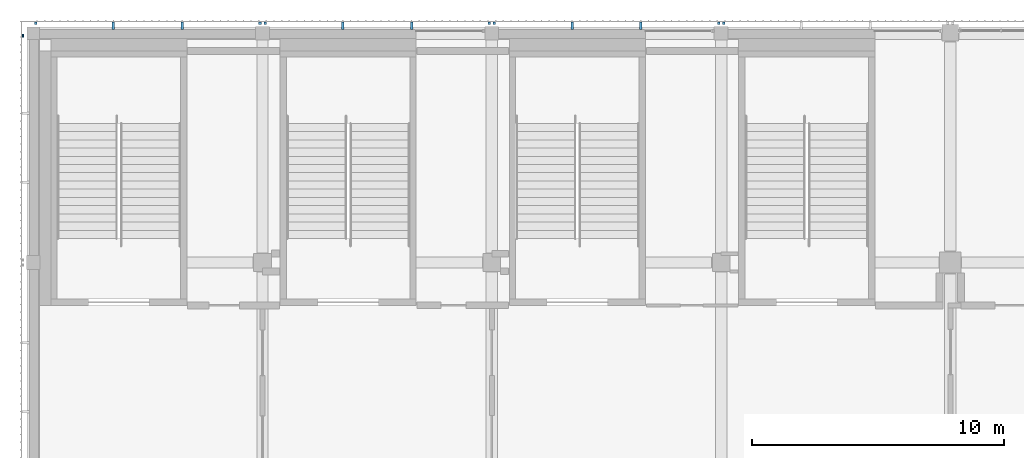
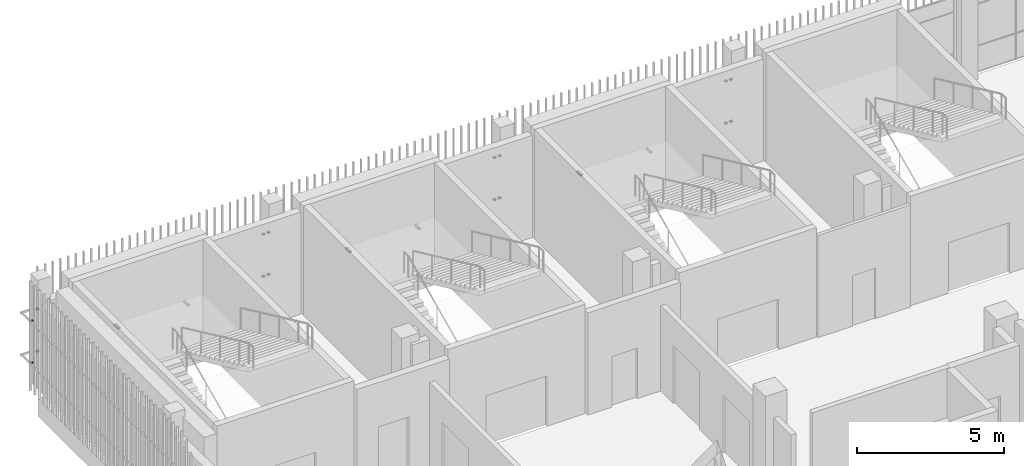
# One storey, part 100 of 126: 22 discrete accessories.
"""IFC4 building model written with IfcOpenShell, lengths in metres."""

from ifc_helpers import new_model, si_unit, direction, frame, origin, origin_2d, place, context, subcontext, project, spatial, rectangle, extrude, material, type_object, element, save


model = new_model("IFC4")

# Units and contexts
model_context = context("Model", 3, precision=1e-05, world=origin(), true_north=direction((0.0, 1.0)))
body_context = subcontext(model_context, "Body", "Model", "MODEL_VIEW")
ifc_project = project(units=[si_unit("LENGTHUNIT", "METRE"), si_unit("AREAUNIT", "SQUARE_METRE"), si_unit("VOLUMEUNIT", "CUBIC_METRE"), si_unit("PLANEANGLEUNIT", "RADIAN"), si_unit("MASSUNIT", "GRAM", prefix="KILO")], contexts=[model_context])

# Site, building, storey
site_placement = place(None, origin())
site = spatial("IfcSite", under=ifc_project, at=site_placement, CompositionType="ELEMENT")
building_placement = place(site_placement, origin())
building = spatial("IfcBuilding", under=site, at=building_placement, Name="Shirokan Park Arena", CompositionType="ELEMENT")
storey_placement = place(building_placement, frame((0.0, 0.0, 6.3701171875)))
storey = spatial("IfcBuildingStorey", under=building, at=storey_placement, Name="L01", CompositionType="ELEMENT", Elevation=6.3701171875)

# Discrete accessories
ifc_material = material(Name="Steel S355", Category="steel")
discrete_accessory_type = type_object("IfcDiscreteAccessoryType", Name="Veil bracket 100x60", PredefinedType="BRACKET", material=ifc_material)
for number, where, z_axis, x_axis, name in (
    (1, (27.39990234375, 109.597412109375, 1.06982421875), (0.0, 0.0, 1.0), (-1.0, 0.0, 0.0), "Veil bracket north bay 13 L01 2"),
    (2, (27.39990234375, 109.597412109375, 2.81982421875), (0.0, 0.0, 1.0), (-1.0, 0.0, 0.0), "Veil bracket north bay 13 L01 4"),
    (3, (27.199951171875, 109.597412109375, 1.06982421875), (0.0, 0.0, 1.0), (-1.0, 0.0, 0.0), "Veil bracket north bay 14 L01 1"),
    (4, (18.300048828125, 109.597412109375, 1.06982421875), (0.0, 0.0, 1.0), (-1.0, 0.0, 0.0), "Veil bracket north bay 14 L01 2"),
    (5, (27.199951171875, 109.597412109375, 2.81982421875), (0.0, 0.0, 1.0), (-1.0, 0.0, 0.0), "Veil bracket north bay 14 L01 3"),
    (6, (18.300048828125, 109.597412109375, 2.81982421875), (0.0, 0.0, 1.0), (-1.0, 0.0, 0.0), "Veil bracket north bay 14 L01 4"),
):
    element("IfcDiscreteAccessory", number, at=place(storey_placement, frame(where, z_axis=z_axis, x_axis=x_axis)), inside=storey, type_object=discrete_accessory_type, Name=name, PredefinedType="BRACKET", context=body_context, shape_type="SweptSolid", body=[
        extrude(rectangle(XDim=0.10009765625, YDim=0.094970703125, at=origin_2d()), origin(), (0.0, 0.0, 1.0), 0.06005859375),
    ])
for number, where, z_axis, x_axis, name in (
    (7, (24.114990234375, 109.49755859375, 1.06982421875), (0.0, 0.0, 1.0), (-1.0, 0.0, 0.0), "Veil bracket north bay 14 L01 wall 1"),
    (8, (21.385009765625, 109.49755859375, 1.06982421875), (0.0, 0.0, 1.0), (-1.0, 0.0, 0.0), "Veil bracket north bay 14 L01 wall 2"),
):
    element("IfcDiscreteAccessory", number, at=place(storey_placement, frame(where, z_axis=z_axis, x_axis=x_axis)), inside=storey, type_object=discrete_accessory_type, Name=name, PredefinedType="BRACKET", context=body_context, shape_type="SweptSolid", body=[
        extrude(rectangle(XDim=0.10009765625, YDim=0.294921875, at=origin_2d()), origin(), (0.0, 0.0, 1.0), 0.06005859375),
    ])
for number, where, z_axis, x_axis, name in (
    (9, (18.10009765625, 109.597412109375, 1.06982421875), (0.0, 0.0, 1.0), (-1.0, 0.0, 0.0), "Veil bracket north bay 15 L01 1"),
    (10, (9.199951171875, 109.597412109375, 1.06982421875), (0.0, 0.0, 1.0), (-1.0, 0.0, 0.0), "Veil bracket north bay 15 L01 2"),
    (11, (18.10009765625, 109.597412109375, 2.81982421875), (0.0, 0.0, 1.0), (-1.0, 0.0, 0.0), "Veil bracket north bay 15 L01 3"),
    (12, (9.199951171875, 109.597412109375, 2.81982421875), (0.0, 0.0, 1.0), (-1.0, 0.0, 0.0), "Veil bracket north bay 15 L01 4"),
):
    element("IfcDiscreteAccessory", number, at=place(storey_placement, frame(where, z_axis=z_axis, x_axis=x_axis)), inside=storey, type_object=discrete_accessory_type, Name=name, PredefinedType="BRACKET", context=body_context, shape_type="SweptSolid", body=[
        extrude(rectangle(XDim=0.10009765625, YDim=0.094970703125, at=origin_2d()), origin(), (0.0, 0.0, 1.0), 0.06005859375),
    ])
for number, where, z_axis, x_axis, name in (
    (13, (15.014892578125, 109.49755859375, 1.06982421875), (0.0, 0.0, 1.0), (-1.0, 0.0, 0.0), "Veil bracket north bay 15 L01 wall 1"),
    (14, (12.284912109375, 109.49755859375, 1.06982421875), (0.0, 0.0, 1.0), (-1.0, 0.0, 0.0), "Veil bracket north bay 15 L01 wall 2"),
):
    element("IfcDiscreteAccessory", number, at=place(storey_placement, frame(where, z_axis=z_axis, x_axis=x_axis)), inside=storey, type_object=discrete_accessory_type, Name=name, PredefinedType="BRACKET", context=body_context, shape_type="SweptSolid", body=[
        extrude(rectangle(XDim=0.10009765625, YDim=0.294921875, at=origin_2d()), origin(), (0.0, 0.0, 1.0), 0.06005859375),
    ])
for number, where, z_axis, x_axis, name in (
    (15, (9.0, 109.597412109375, 1.06982421875), (0.0, 0.0, 1.0), (-1.0, 0.0, 0.0), "Veil bracket north bay 16 L01 1"),
    (16, (0.10009765625, 109.597412109375, 1.06982421875), (0.0, 0.0, 1.0), (-1.0, 0.0, 0.0), "Veil bracket north bay 16 L01 2"),
    (17, (9.0, 109.597412109375, 2.81982421875), (0.0, 0.0, 1.0), (-1.0, 0.0, 0.0), "Veil bracket north bay 16 L01 3"),
    (18, (0.10009765625, 109.597412109375, 2.81982421875), (0.0, 0.0, 1.0), (-1.0, 0.0, 0.0), "Veil bracket north bay 16 L01 4"),
):
    element("IfcDiscreteAccessory", number, at=place(storey_placement, frame(where, z_axis=z_axis, x_axis=x_axis)), inside=storey, type_object=discrete_accessory_type, Name=name, PredefinedType="BRACKET", context=body_context, shape_type="SweptSolid", body=[
        extrude(rectangle(XDim=0.10009765625, YDim=0.094970703125, at=origin_2d()), origin(), (0.0, 0.0, 1.0), 0.06005859375),
    ])
for number, where, z_axis, x_axis, name in (
    (19, (5.9150390625, 109.49755859375, 1.06982421875), (0.0, 0.0, 1.0), (-1.0, 0.0, 0.0), "Veil bracket north bay 16 L01 wall 1"),
    (20, (3.18505859375, 109.49755859375, 1.06982421875), (0.0, 0.0, 1.0), (-1.0, 0.0, 0.0), "Veil bracket north bay 16 L01 wall 2"),
):
    element("IfcDiscreteAccessory", number, at=place(storey_placement, frame(where, z_axis=z_axis, x_axis=x_axis)), inside=storey, type_object=discrete_accessory_type, Name=name, PredefinedType="BRACKET", context=body_context, shape_type="SweptSolid", body=[
        extrude(rectangle(XDim=0.10009765625, YDim=0.294921875, at=origin_2d()), origin(), (0.0, 0.0, 1.0), 0.06005859375),
    ])
for number, where, z_axis, x_axis, name in (
    (21, (-0.409912109375, 109.10009765625, 1.06982421875), (0.0, 0.0, 1.0), (0.0, -1.0, 0.0), "Veil bracket west bay 1 L01 1"),
    (22, (-0.409912109375, 109.10009765625, 2.81982421875), (0.0, 0.0, 1.0), (0.0, -1.0, 0.0), "Veil bracket west bay 1 L01 3"),
):
    element("IfcDiscreteAccessory", number, at=place(storey_placement, frame(where, z_axis=z_axis, x_axis=x_axis)), inside=storey, type_object=discrete_accessory_type, Name=name, PredefinedType="BRACKET", context=body_context, shape_type="SweptSolid", body=[
        extrude(rectangle(XDim=0.10009765625, YDim=0.070068359375, at=origin_2d()), origin(), (0.0, 0.0, 1.0), 0.06005859375),
    ])

save(model, "model.ifc")
